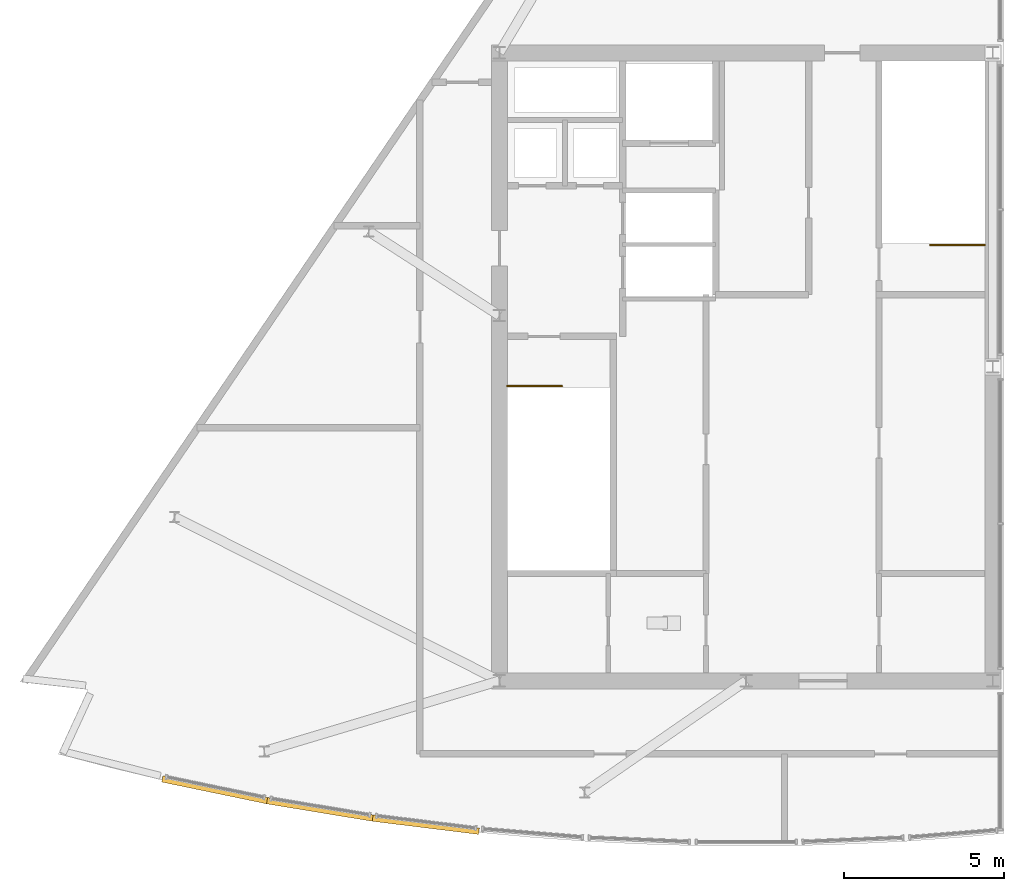
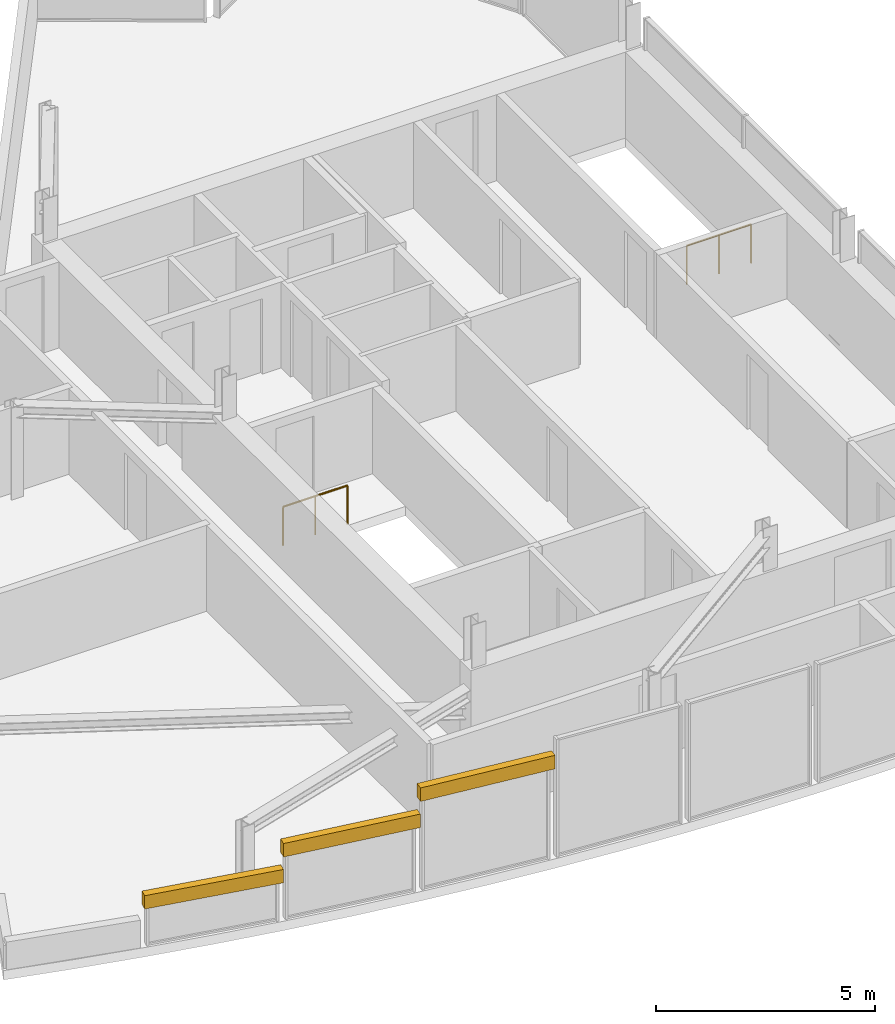
# One storey, part 6 of 7: 3 coverings, 2 railings.
"""IFC4 building model written with IfcOpenShell, lengths in metres."""

from ifc_helpers import new_model, si_unit, direction, frame, origin, origin_2d, place, context, subcontext, project, spatial, polyline, circle, outline, extrude, material, layer, layer_set, type_object, element, save


model = new_model("IFC4")

# Units and contexts
model_context = context("Model", 3, precision=1e-05, world=origin(), true_north=direction((0.0, 1.0)))
body_context = subcontext(model_context, "Body", "Model", "MODEL_VIEW")
ifc_project = project(units=[si_unit("LENGTHUNIT", "METRE"), si_unit("AREAUNIT", "SQUARE_METRE"), si_unit("VOLUMEUNIT", "CUBIC_METRE"), si_unit("PLANEANGLEUNIT", "RADIAN"), si_unit("MASSUNIT", "GRAM", prefix="KILO")], contexts=[model_context])

# Site, building, storey
site_placement = place(None, origin())
site = spatial("IfcSite", under=ifc_project, at=site_placement, CompositionType="ELEMENT")
building_placement = place(site_placement, origin())
building = spatial("IfcBuilding", under=site, at=building_placement, Name="Savorim Split Tower", CompositionType="ELEMENT")
storey_placement = place(building_placement, frame((0.0, 0.0, 319.199951171875)))
storey = spatial("IfcBuildingStorey", under=building, at=storey_placement, Name="Crown L85 Plant", CompositionType="ELEMENT", Elevation=319.199951171875)

# Coverings
ifc_material_1 = material(Name="Terracotta Ceramic-Coated Aluminium Fin", Category="masonry")
ifc_layer = layer(ifc_material_1, 0.050048828125)
ifc_layer_set = layer_set([ifc_layer], Name="COV-CLAD-TERRA")
covering_type = type_object("IfcCoveringType", Name="COV-CLAD-TERRA", PredefinedType="CLADDING", material=ifc_layer_set)
covering_1_placement = place(storey_placement, frame((0.0, 0.0, 1.117431640625)))
element("IfcCovering", 1, at=covering_1_placement, inside=storey, type_object=covering_type, Name="Crown L85 Plant Sloped Crest Eave Spandrel W9", PredefinedType="CLADDING", context=body_context, shape_type="SweptSolid", body=[
    extrude(outline(polyline([(-18.24072265625, -12.560791015625), (-14.96826171875, -13.239990234375), (-14.927490234375, -13.044189453125), (-18.199951171875, -12.364990234375), (-18.24072265625, -12.560791015625)])), origin(), (0.0, 0.0, 1.0), 0.372802734375),
])
covering_2_placement = place(storey_placement, frame((0.0, 0.0, 1.83642578125)))
element("IfcCovering", 2, at=covering_2_placement, inside=storey, type_object=covering_type, Name="Crown L85 Plant Sloped Crest Eave Spandrel W10", PredefinedType="CLADDING", context=body_context, shape_type="SweptSolid", body=[
    extrude(outline(polyline([(-14.9658203125, -13.240478515625), (-11.668212890625, -13.78515625), (-11.6357421875, -13.587890625), (-14.93310546875, -13.043212890625), (-14.9658203125, -13.240478515625)])), origin(), (0.0, 0.0, 1.0), 0.375244140625),
])
covering_3_placement = place(storey_placement, frame((0.0, 0.0, 2.560791015625)))
element("IfcCovering", 3, at=covering_3_placement, inside=storey, type_object=covering_type, Name="Crown L85 Plant Sloped Crest Eave Spandrel W11", PredefinedType="CLADDING", context=body_context, shape_type="SweptSolid", body=[
    extrude(outline(polyline([(-11.665771484375, -13.785400390625), (-8.348876953125, -14.19482421875), (-8.324462890625, -13.996337890625), (-11.641357421875, -13.587158203125), (-11.665771484375, -13.785400390625)])), origin(), (0.0, 0.0, 1.0), 0.37744140625),
])

# Railings
ifc_material_2 = material(Name="Galvanised Painted Steel Balustrade", Category="steel")
railing_type = type_object("IfcRailingType", Name="RLG-STG-1100", PredefinedType="BALUSTRADE", material=ifc_material_2)
railing_1_placement = place(storey_placement, frame((-7.449951171875, -0.199951171875, 0.0)))
element("IfcRailing", 4, at=railing_1_placement, inside=storey, type_object=railing_type, Name="Crown L85 Plant ST-1 top well guard 1", PredefinedType="BALUSTRADE", context=body_context, shape_type="SweptSolid", body=[
    extrude(circle(Radius=0.02392578125, at=origin_2d()), frame((0.0, 0.0, 1.076171875), z_axis=(1.0, 0.0, 0.0), x_axis=(0.0, 1.0, 0.0)), (0.0, 0.0, 1.0), 1.699951171875),
    extrude(circle(Radius=0.02099609375, at=origin_2d()), origin(), (0.0, 0.0, 1.0), 1.052001953125),
    extrude(circle(Radius=0.02099609375, at=origin_2d()), frame((0.85009765625, 0.0, 0.0)), (0.0, 0.0, 1.0), 1.052001953125),
    extrude(circle(Radius=0.02099609375, at=origin_2d()), frame((1.699951171875, 0.0, 0.0)), (0.0, 0.0, 1.0), 1.052001953125),
])
railing_2_placement = place(storey_placement, frame((7.449951171875, 4.199951171875, 0.0)))
element("IfcRailing", 5, at=railing_2_placement, inside=storey, type_object=railing_type, Name="Crown L85 Plant ST-2 top well guard 1", PredefinedType="BALUSTRADE", context=body_context, shape_type="SweptSolid", body=[
    extrude(circle(Radius=0.02392578125, at=origin_2d()), frame((0.0, 0.0, 1.076171875), z_axis=(-1.0, 0.0, 0.0), x_axis=(0.0, -1.0, 0.0)), (0.0, 0.0, 1.0), 1.699951171875),
    extrude(circle(Radius=0.02099609375, at=origin_2d()), origin(), (0.0, 0.0, 1.0), 1.052001953125),
    extrude(circle(Radius=0.02099609375, at=origin_2d()), frame((-0.85009765625, 0.0, 0.0)), (0.0, 0.0, 1.0), 1.052001953125),
    extrude(circle(Radius=0.02099609375, at=origin_2d()), frame((-1.699951171875, 0.0, 0.0)), (0.0, 0.0, 1.0), 1.052001953125),
])

save(model, "model.ifc")
